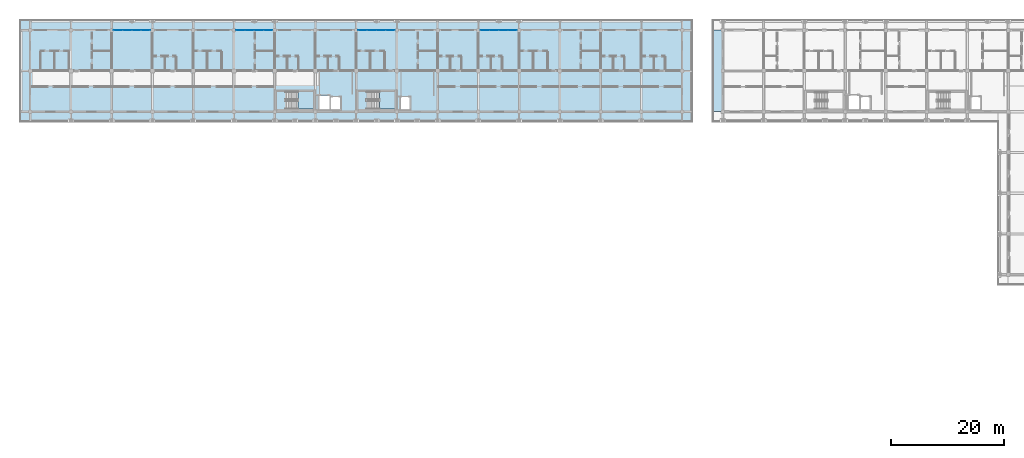
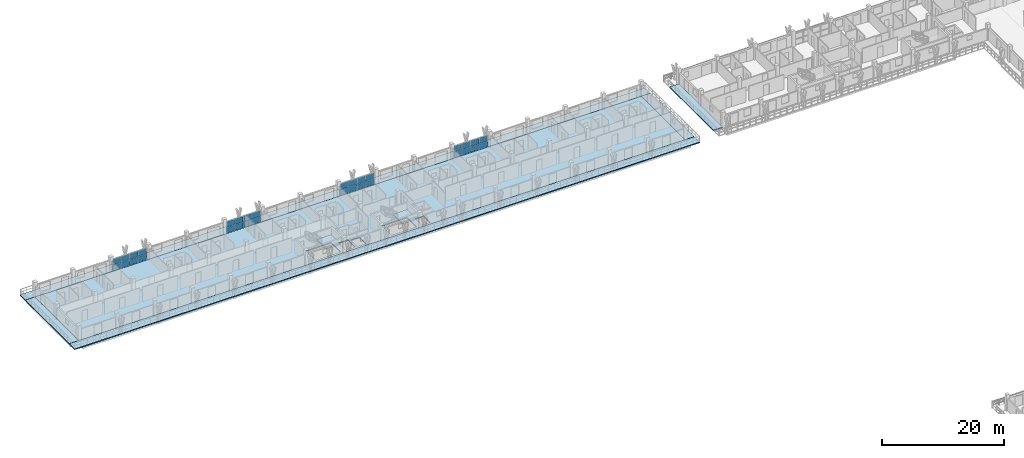
# One storey, part 36 of 78: 32 plates, 8 slabs, 6 elements without a shape of their own.
"""IFC4 building model written with IfcOpenShell, lengths in metres."""

from ifc_helpers import new_model, si_unit, direction, frame, origin, origin_2d, place, context, subcontext, project, spatial, polyline, rectangle, outline, extrude, material, layer, layer_set, type_object, element, aggregate, save


model = new_model("IFC4")

# Units and contexts
model_context = context("Model", 3, precision=1e-05, world=origin(), true_north=direction((0.0, 1.0)))
body_context = subcontext(model_context, "Body", "Model", "MODEL_VIEW")
ifc_project = project(units=[si_unit("LENGTHUNIT", "METRE"), si_unit("AREAUNIT", "SQUARE_METRE"), si_unit("VOLUMEUNIT", "CUBIC_METRE"), si_unit("PLANEANGLEUNIT", "RADIAN"), si_unit("MASSUNIT", "GRAM", prefix="KILO")], contexts=[model_context])

# Site, building, storey
site_placement = place(None, origin())
site = spatial("IfcSite", under=ifc_project, at=site_placement, CompositionType="ELEMENT")
building_placement = place(site_placement, origin())
building = spatial("IfcBuilding", under=site, at=building_placement, Name="Suanplinth Sawtooth Commons", CompositionType="ELEMENT")
storey_placement = place(building_placement, frame((0.0, 0.0, 15.39990234375)))
storey = spatial("IfcBuildingStorey", under=building, at=storey_placement, Name="L04", CompositionType="ELEMENT", Elevation=15.39990234375)

# Curtain wall, plates
ifc_material_1 = material(Name="Anodized aluminium and low-E glazing", Category="aluminium")
curtain_wall_type = type_object("IfcCurtainWallType", Name="CW-06", PredefinedType="USERDEFINED", material=ifc_material_1)
curtain_wall_1_placement = place(storey_placement, origin())
curtain_wall_1 = element("IfcCurtainWall", 1, at=curtain_wall_1_placement, inside=storey, type_object=curtain_wall_type, Name="Curtain Wall CW-L04-A-LOUNGE-2", ObjectType="CURTAIN WALL", PredefinedType="USERDEFINED")
ifc_material_2 = material(Name="Tempered low-E double glazing", Category="glass")
ifc_layer_1 = layer(ifc_material_2, 0.028076171875, Name="Vision low-E insulated glazing unit 28mm")
ifc_layer_set_1 = layer_set([ifc_layer_1], Name="Tempered low-E double glazing")
plate_type = type_object("IfcPlateType", Name="PL-05", PredefinedType="CURTAIN_PANEL", material=ifc_layer_set_1)
plate_1_placement = place(storey_placement, frame((15.56005859375, 122.39990234375, 0.06494140625), z_axis=(0.0, 0.0, 1.0), x_axis=(1.0, 0.0, 0.0)))
plate_1 = element("IfcPlate", 2, at=plate_1_placement, type_object=plate_type, Name="CW-06 panel 1.1", PredefinedType="CURTAIN_PANEL", context=body_context, shape_type="SweptSolid", body=[
    extrude(rectangle(XDim=1.5400390625, YDim=0.028076171875, at=origin_2d()), origin(), (0.0, 0.0, 1.0), 1.117431640625),
])
plate_2_placement = place(storey_placement, frame((15.56005859375, 122.39990234375, 1.24755859375), z_axis=(0.0, 0.0, 1.0), x_axis=(1.0, 0.0, 0.0)))
plate_2 = element("IfcPlate", 3, at=plate_2_placement, type_object=plate_type, Name="CW-06 panel 1.2", PredefinedType="CURTAIN_PANEL", context=body_context, shape_type="SweptSolid", body=[
    extrude(rectangle(XDim=1.5400390625, YDim=0.028076171875, at=origin_2d()), origin(), (0.0, 0.0, 1.0), 1.117431640625),
])
plate_3_placement = place(storey_placement, frame((17.18115234375, 122.39990234375, 0.06494140625), z_axis=(0.0, 0.0, 1.0), x_axis=(1.0, 0.0, 0.0)))
plate_3 = element("IfcPlate", 4, at=plate_3_placement, type_object=plate_type, Name="CW-06 panel 2.1", PredefinedType="CURTAIN_PANEL", context=body_context, shape_type="SweptSolid", body=[
    extrude(rectangle(XDim=1.572509765625, YDim=0.028076171875, at=origin_2d()), origin(), (0.0, 0.0, 1.0), 1.117431640625),
])
plate_4_placement = place(storey_placement, frame((17.18115234375, 122.39990234375, 1.24755859375), z_axis=(0.0, 0.0, 1.0), x_axis=(1.0, 0.0, 0.0)))
plate_4 = element("IfcPlate", 5, at=plate_4_placement, type_object=plate_type, Name="CW-06 panel 2.2", PredefinedType="CURTAIN_PANEL", context=body_context, shape_type="SweptSolid", body=[
    extrude(rectangle(XDim=1.572509765625, YDim=0.028076171875, at=origin_2d()), origin(), (0.0, 0.0, 1.0), 1.117431640625),
])
plate_5_placement = place(storey_placement, frame((18.81884765625, 122.39990234375, 0.06494140625), z_axis=(0.0, 0.0, 1.0), x_axis=(1.0, 0.0, 0.0)))
plate_5 = element("IfcPlate", 6, at=plate_5_placement, type_object=plate_type, Name="CW-06 panel 3.1", PredefinedType="CURTAIN_PANEL", context=body_context, shape_type="SweptSolid", body=[
    extrude(rectangle(XDim=1.572509765625, YDim=0.028076171875, at=origin_2d()), origin(), (0.0, 0.0, 1.0), 1.117431640625),
])
plate_6_placement = place(storey_placement, frame((18.81884765625, 122.39990234375, 1.24755859375), z_axis=(0.0, 0.0, 1.0), x_axis=(1.0, 0.0, 0.0)))
plate_6 = element("IfcPlate", 7, at=plate_6_placement, type_object=plate_type, Name="CW-06 panel 3.2", PredefinedType="CURTAIN_PANEL", context=body_context, shape_type="SweptSolid", body=[
    extrude(rectangle(XDim=1.572509765625, YDim=0.028076171875, at=origin_2d()), origin(), (0.0, 0.0, 1.0), 1.117431640625),
])
plate_7_placement = place(storey_placement, frame((20.43994140625, 122.39990234375, 0.06494140625), z_axis=(0.0, 0.0, 1.0), x_axis=(1.0, 0.0, 0.0)))
plate_7 = element("IfcPlate", 8, at=plate_7_placement, type_object=plate_type, Name="CW-06 panel 4.1", PredefinedType="CURTAIN_PANEL", context=body_context, shape_type="SweptSolid", body=[
    extrude(rectangle(XDim=1.5400390625, YDim=0.028076171875, at=origin_2d()), origin(), (0.0, 0.0, 1.0), 1.117431640625),
])
plate_8_placement = place(storey_placement, frame((20.43994140625, 122.39990234375, 1.24755859375), z_axis=(0.0, 0.0, 1.0), x_axis=(1.0, 0.0, 0.0)))
plate_8 = element("IfcPlate", 9, at=plate_8_placement, type_object=plate_type, Name="CW-06 panel 4.2", PredefinedType="CURTAIN_PANEL", context=body_context, shape_type="SweptSolid", body=[
    extrude(rectangle(XDim=1.5400390625, YDim=0.028076171875, at=origin_2d()), origin(), (0.0, 0.0, 1.0), 1.117431640625),
])
aggregate(curtain_wall_1, [plate_1, plate_2, plate_3, plate_4, plate_5, plate_6, plate_7, plate_8])

curtain_wall_2_placement = place(storey_placement, origin())
curtain_wall_2 = element("IfcCurtainWall", 10, at=curtain_wall_2_placement, inside=storey, type_object=curtain_wall_type, Name="Curtain Wall CW-L04-A-LOUNGE-5", ObjectType="CURTAIN WALL", PredefinedType="USERDEFINED")
plate_9_placement = place(storey_placement, frame((37.159912109375, 122.39990234375, 0.06494140625), z_axis=(0.0, 0.0, 1.0), x_axis=(1.0, 0.0, 0.0)))
plate_9 = element("IfcPlate", 11, at=plate_9_placement, type_object=plate_type, Name="CW-06 panel 1.1", PredefinedType="CURTAIN_PANEL", context=body_context, shape_type="SweptSolid", body=[
    extrude(rectangle(XDim=1.5400390625, YDim=0.028076171875, at=origin_2d()), origin(), (0.0, 0.0, 1.0), 1.117431640625),
])
plate_10_placement = place(storey_placement, frame((37.159912109375, 122.39990234375, 1.24755859375), z_axis=(0.0, 0.0, 1.0), x_axis=(1.0, 0.0, 0.0)))
plate_10 = element("IfcPlate", 12, at=plate_10_placement, type_object=plate_type, Name="CW-06 panel 1.2", PredefinedType="CURTAIN_PANEL", context=body_context, shape_type="SweptSolid", body=[
    extrude(rectangle(XDim=1.5400390625, YDim=0.028076171875, at=origin_2d()), origin(), (0.0, 0.0, 1.0), 1.117431640625),
])
plate_11_placement = place(storey_placement, frame((38.78125, 122.39990234375, 0.06494140625), z_axis=(0.0, 0.0, 1.0), x_axis=(1.0, 0.0, 0.0)))
plate_11 = element("IfcPlate", 13, at=plate_11_placement, type_object=plate_type, Name="CW-06 panel 2.1", PredefinedType="CURTAIN_PANEL", context=body_context, shape_type="SweptSolid", body=[
    extrude(rectangle(XDim=1.572509765625, YDim=0.028076171875, at=origin_2d()), origin(), (0.0, 0.0, 1.0), 1.117431640625),
])
plate_12_placement = place(storey_placement, frame((38.78125, 122.39990234375, 1.24755859375), z_axis=(0.0, 0.0, 1.0), x_axis=(1.0, 0.0, 0.0)))
plate_12 = element("IfcPlate", 14, at=plate_12_placement, type_object=plate_type, Name="CW-06 panel 2.2", PredefinedType="CURTAIN_PANEL", context=body_context, shape_type="SweptSolid", body=[
    extrude(rectangle(XDim=1.572509765625, YDim=0.028076171875, at=origin_2d()), origin(), (0.0, 0.0, 1.0), 1.117431640625),
])
plate_13_placement = place(storey_placement, frame((40.418701171875, 122.39990234375, 0.06494140625), z_axis=(0.0, 0.0, 1.0), x_axis=(1.0, 0.0, 0.0)))
plate_13 = element("IfcPlate", 15, at=plate_13_placement, type_object=plate_type, Name="CW-06 panel 3.1", PredefinedType="CURTAIN_PANEL", context=body_context, shape_type="SweptSolid", body=[
    extrude(rectangle(XDim=1.572509765625, YDim=0.028076171875, at=origin_2d()), origin(), (0.0, 0.0, 1.0), 1.117431640625),
])
plate_14_placement = place(storey_placement, frame((40.418701171875, 122.39990234375, 1.24755859375), z_axis=(0.0, 0.0, 1.0), x_axis=(1.0, 0.0, 0.0)))
plate_14 = element("IfcPlate", 16, at=plate_14_placement, type_object=plate_type, Name="CW-06 panel 3.2", PredefinedType="CURTAIN_PANEL", context=body_context, shape_type="SweptSolid", body=[
    extrude(rectangle(XDim=1.572509765625, YDim=0.028076171875, at=origin_2d()), origin(), (0.0, 0.0, 1.0), 1.117431640625),
])
plate_15_placement = place(storey_placement, frame((42.0400390625, 122.39990234375, 0.06494140625), z_axis=(0.0, 0.0, 1.0), x_axis=(1.0, 0.0, 0.0)))
plate_15 = element("IfcPlate", 17, at=plate_15_placement, type_object=plate_type, Name="CW-06 panel 4.1", PredefinedType="CURTAIN_PANEL", context=body_context, shape_type="SweptSolid", body=[
    extrude(rectangle(XDim=1.5400390625, YDim=0.028076171875, at=origin_2d()), origin(), (0.0, 0.0, 1.0), 1.117431640625),
])
plate_16_placement = place(storey_placement, frame((42.0400390625, 122.39990234375, 1.24755859375), z_axis=(0.0, 0.0, 1.0), x_axis=(1.0, 0.0, 0.0)))
plate_16 = element("IfcPlate", 18, at=plate_16_placement, type_object=plate_type, Name="CW-06 panel 4.2", PredefinedType="CURTAIN_PANEL", context=body_context, shape_type="SweptSolid", body=[
    extrude(rectangle(XDim=1.5400390625, YDim=0.028076171875, at=origin_2d()), origin(), (0.0, 0.0, 1.0), 1.117431640625),
])
aggregate(curtain_wall_2, [plate_9, plate_10, plate_11, plate_12, plate_13, plate_14, plate_15, plate_16])

curtain_wall_3_placement = place(storey_placement, origin())
curtain_wall_3 = element("IfcCurtainWall", 19, at=curtain_wall_3_placement, inside=storey, type_object=curtain_wall_type, Name="Curtain Wall CW-L04-A-LOUNGE-8", ObjectType="CURTAIN WALL", PredefinedType="USERDEFINED")
plate_17_placement = place(storey_placement, frame((58.760009765625, 122.39990234375, 0.06494140625), z_axis=(0.0, 0.0, 1.0), x_axis=(1.0, 0.0, 0.0)))
plate_17 = element("IfcPlate", 20, at=plate_17_placement, type_object=plate_type, Name="CW-06 panel 1.1", PredefinedType="CURTAIN_PANEL", context=body_context, shape_type="SweptSolid", body=[
    extrude(rectangle(XDim=1.5400390625, YDim=0.028076171875, at=origin_2d()), origin(), (0.0, 0.0, 1.0), 1.117431640625),
])
plate_18_placement = place(storey_placement, frame((58.760009765625, 122.39990234375, 1.24755859375), z_axis=(0.0, 0.0, 1.0), x_axis=(1.0, 0.0, 0.0)))
plate_18 = element("IfcPlate", 21, at=plate_18_placement, type_object=plate_type, Name="CW-06 panel 1.2", PredefinedType="CURTAIN_PANEL", context=body_context, shape_type="SweptSolid", body=[
    extrude(rectangle(XDim=1.5400390625, YDim=0.028076171875, at=origin_2d()), origin(), (0.0, 0.0, 1.0), 1.117431640625),
])
plate_19_placement = place(storey_placement, frame((60.38134765625, 122.39990234375, 0.06494140625), z_axis=(0.0, 0.0, 1.0), x_axis=(1.0, 0.0, 0.0)))
plate_19 = element("IfcPlate", 22, at=plate_19_placement, type_object=plate_type, Name="CW-06 panel 2.1", PredefinedType="CURTAIN_PANEL", context=body_context, shape_type="SweptSolid", body=[
    extrude(rectangle(XDim=1.572509765625, YDim=0.028076171875, at=origin_2d()), origin(), (0.0, 0.0, 1.0), 1.117431640625),
])
plate_20_placement = place(storey_placement, frame((60.38134765625, 122.39990234375, 1.24755859375), z_axis=(0.0, 0.0, 1.0), x_axis=(1.0, 0.0, 0.0)))
plate_20 = element("IfcPlate", 23, at=plate_20_placement, type_object=plate_type, Name="CW-06 panel 2.2", PredefinedType="CURTAIN_PANEL", context=body_context, shape_type="SweptSolid", body=[
    extrude(rectangle(XDim=1.572509765625, YDim=0.028076171875, at=origin_2d()), origin(), (0.0, 0.0, 1.0), 1.117431640625),
])
plate_21_placement = place(storey_placement, frame((62.018798828125, 122.39990234375, 0.06494140625), z_axis=(0.0, 0.0, 1.0), x_axis=(1.0, 0.0, 0.0)))
plate_21 = element("IfcPlate", 24, at=plate_21_placement, type_object=plate_type, Name="CW-06 panel 3.1", PredefinedType="CURTAIN_PANEL", context=body_context, shape_type="SweptSolid", body=[
    extrude(rectangle(XDim=1.572509765625, YDim=0.028076171875, at=origin_2d()), origin(), (0.0, 0.0, 1.0), 1.117431640625),
])
plate_22_placement = place(storey_placement, frame((62.018798828125, 122.39990234375, 1.24755859375), z_axis=(0.0, 0.0, 1.0), x_axis=(1.0, 0.0, 0.0)))
plate_22 = element("IfcPlate", 25, at=plate_22_placement, type_object=plate_type, Name="CW-06 panel 3.2", PredefinedType="CURTAIN_PANEL", context=body_context, shape_type="SweptSolid", body=[
    extrude(rectangle(XDim=1.572509765625, YDim=0.028076171875, at=origin_2d()), origin(), (0.0, 0.0, 1.0), 1.117431640625),
])
plate_23_placement = place(storey_placement, frame((63.639892578125, 122.39990234375, 0.06494140625), z_axis=(0.0, 0.0, 1.0), x_axis=(1.0, 0.0, 0.0)))
plate_23 = element("IfcPlate", 26, at=plate_23_placement, type_object=plate_type, Name="CW-06 panel 4.1", PredefinedType="CURTAIN_PANEL", context=body_context, shape_type="SweptSolid", body=[
    extrude(rectangle(XDim=1.5400390625, YDim=0.028076171875, at=origin_2d()), origin(), (0.0, 0.0, 1.0), 1.117431640625),
])
plate_24_placement = place(storey_placement, frame((63.639892578125, 122.39990234375, 1.24755859375), z_axis=(0.0, 0.0, 1.0), x_axis=(1.0, 0.0, 0.0)))
plate_24 = element("IfcPlate", 27, at=plate_24_placement, type_object=plate_type, Name="CW-06 panel 4.2", PredefinedType="CURTAIN_PANEL", context=body_context, shape_type="SweptSolid", body=[
    extrude(rectangle(XDim=1.5400390625, YDim=0.028076171875, at=origin_2d()), origin(), (0.0, 0.0, 1.0), 1.117431640625),
])
aggregate(curtain_wall_3, [plate_17, plate_18, plate_19, plate_20, plate_21, plate_22, plate_23, plate_24])

curtain_wall_4_placement = place(storey_placement, origin())
curtain_wall_4 = element("IfcCurtainWall", 28, at=curtain_wall_4_placement, inside=storey, type_object=curtain_wall_type, Name="Curtain Wall CW-L04-A-LOUNGE-11", ObjectType="CURTAIN WALL", PredefinedType="USERDEFINED")
plate_25_placement = place(storey_placement, frame((80.360107421875, 122.39990234375, 0.06494140625), z_axis=(0.0, 0.0, 1.0), x_axis=(1.0, 0.0, 0.0)))
plate_25 = element("IfcPlate", 29, at=plate_25_placement, type_object=plate_type, Name="CW-06 panel 1.1", PredefinedType="CURTAIN_PANEL", context=body_context, shape_type="SweptSolid", body=[
    extrude(rectangle(XDim=1.5400390625, YDim=0.028076171875, at=origin_2d()), origin(), (0.0, 0.0, 1.0), 1.117431640625),
])
plate_26_placement = place(storey_placement, frame((80.360107421875, 122.39990234375, 1.24755859375), z_axis=(0.0, 0.0, 1.0), x_axis=(1.0, 0.0, 0.0)))
plate_26 = element("IfcPlate", 30, at=plate_26_placement, type_object=plate_type, Name="CW-06 panel 1.2", PredefinedType="CURTAIN_PANEL", context=body_context, shape_type="SweptSolid", body=[
    extrude(rectangle(XDim=1.5400390625, YDim=0.028076171875, at=origin_2d()), origin(), (0.0, 0.0, 1.0), 1.117431640625),
])
plate_27_placement = place(storey_placement, frame((81.981201171875, 122.39990234375, 0.06494140625), z_axis=(0.0, 0.0, 1.0), x_axis=(1.0, 0.0, 0.0)))
plate_27 = element("IfcPlate", 31, at=plate_27_placement, type_object=plate_type, Name="CW-06 panel 2.1", PredefinedType="CURTAIN_PANEL", context=body_context, shape_type="SweptSolid", body=[
    extrude(rectangle(XDim=1.572509765625, YDim=0.028076171875, at=origin_2d()), origin(), (0.0, 0.0, 1.0), 1.117431640625),
])
plate_28_placement = place(storey_placement, frame((81.981201171875, 122.39990234375, 1.24755859375), z_axis=(0.0, 0.0, 1.0), x_axis=(1.0, 0.0, 0.0)))
plate_28 = element("IfcPlate", 32, at=plate_28_placement, type_object=plate_type, Name="CW-06 panel 2.2", PredefinedType="CURTAIN_PANEL", context=body_context, shape_type="SweptSolid", body=[
    extrude(rectangle(XDim=1.572509765625, YDim=0.028076171875, at=origin_2d()), origin(), (0.0, 0.0, 1.0), 1.117431640625),
])
plate_29_placement = place(storey_placement, frame((83.61865234375, 122.39990234375, 0.06494140625), z_axis=(0.0, 0.0, 1.0), x_axis=(1.0, 0.0, 0.0)))
plate_29 = element("IfcPlate", 33, at=plate_29_placement, type_object=plate_type, Name="CW-06 panel 3.1", PredefinedType="CURTAIN_PANEL", context=body_context, shape_type="SweptSolid", body=[
    extrude(rectangle(XDim=1.572509765625, YDim=0.028076171875, at=origin_2d()), origin(), (0.0, 0.0, 1.0), 1.117431640625),
])
plate_30_placement = place(storey_placement, frame((83.61865234375, 122.39990234375, 1.24755859375), z_axis=(0.0, 0.0, 1.0), x_axis=(1.0, 0.0, 0.0)))
plate_30 = element("IfcPlate", 34, at=plate_30_placement, type_object=plate_type, Name="CW-06 panel 3.2", PredefinedType="CURTAIN_PANEL", context=body_context, shape_type="SweptSolid", body=[
    extrude(rectangle(XDim=1.572509765625, YDim=0.028076171875, at=origin_2d()), origin(), (0.0, 0.0, 1.0), 1.117431640625),
])
plate_31_placement = place(storey_placement, frame((85.239990234375, 122.39990234375, 0.06494140625), z_axis=(0.0, 0.0, 1.0), x_axis=(1.0, 0.0, 0.0)))
plate_31 = element("IfcPlate", 35, at=plate_31_placement, type_object=plate_type, Name="CW-06 panel 4.1", PredefinedType="CURTAIN_PANEL", context=body_context, shape_type="SweptSolid", body=[
    extrude(rectangle(XDim=1.5400390625, YDim=0.028076171875, at=origin_2d()), origin(), (0.0, 0.0, 1.0), 1.117431640625),
])
plate_32_placement = place(storey_placement, frame((85.239990234375, 122.39990234375, 1.24755859375), z_axis=(0.0, 0.0, 1.0), x_axis=(1.0, 0.0, 0.0)))
plate_32 = element("IfcPlate", 36, at=plate_32_placement, type_object=plate_type, Name="CW-06 panel 4.2", PredefinedType="CURTAIN_PANEL", context=body_context, shape_type="SweptSolid", body=[
    extrude(rectangle(XDim=1.5400390625, YDim=0.028076171875, at=origin_2d()), origin(), (0.0, 0.0, 1.0), 1.117431640625),
])
aggregate(curtain_wall_4, [plate_25, plate_26, plate_27, plate_28, plate_29, plate_30, plate_31, plate_32])

# Slabs
ifc_material_3 = material(Name="Precast concrete C40/50", Category="concrete")
ifc_layer_2 = layer(ifc_material_3, 0.179931640625, Name="Wrap-around cantilevered precast balcony slab 180mm")
ifc_layer_set_2 = layer_set([ifc_layer_2], Name="Precast concrete C40/50")
slab_type_1 = type_object("IfcSlabType", Name="S-BL01", PredefinedType="FLOOR", material=ifc_layer_set_2)
slab_1_placement = place(storey_placement, frame((0.0, 0.0, -0.179931640625)))
element("IfcSlab", 37, at=slab_1_placement, inside=storey, type_object=slab_type_1, Name="L04 Block A Wrap-Around Balcony N", PredefinedType="FLOOR", context=body_context, shape_type="SweptSolid", body=[
    extrude(outline(polyline([(-1.800048828125, 122.39990234375), (-1.800048828125, 124.199951171875), (117.0, 124.199951171875), (117.0, 122.39990234375), (-1.800048828125, 122.39990234375)])), origin(), (0.0, 0.0, 1.0), 0.179931640625),
])
slab_2_placement = place(storey_placement, frame((0.0, 0.0, -0.179931640625)))
element("IfcSlab", 38, at=slab_2_placement, inside=storey, type_object=slab_type_1, Name="L04 Block A Wrap-Around Balcony S", PredefinedType="FLOOR", context=body_context, shape_type="SweptSolid", body=[
    extrude(outline(polyline([(117.0, 108.0), (117.0, 106.199951171875), (-1.800048828125, 106.199951171875), (-1.800048828125, 108.0), (117.0, 108.0)])), origin(), (0.0, 0.0, 1.0), 0.179931640625),
])
slab_3_placement = place(storey_placement, frame((0.0, 0.0, -0.179931640625)))
element("IfcSlab", 39, at=slab_3_placement, inside=storey, type_object=slab_type_1, Name="L04 Block A Wrap-Around Balcony W", PredefinedType="FLOOR", context=body_context, shape_type="SweptSolid", body=[
    extrude(outline(polyline([(0.0, 108.0), (-1.800048828125, 108.0), (-1.800048828125, 122.39990234375), (0.0, 122.39990234375), (0.0, 108.0)])), origin(), (0.0, 0.0, 1.0), 0.179931640625),
])
slab_4_placement = place(storey_placement, frame((0.0, 0.0, -0.179931640625)))
element("IfcSlab", 40, at=slab_4_placement, inside=storey, type_object=slab_type_1, Name="L04 Block A Wrap-Around Balcony E", PredefinedType="FLOOR", context=body_context, shape_type="SweptSolid", body=[
    extrude(outline(polyline([(117.0, 122.39990234375), (117.0, 108.0), (115.199951171875, 108.0), (115.199951171875, 122.39990234375), (117.0, 122.39990234375)])), origin(), (0.0, 0.0, 1.0), 0.179931640625),
])
slab_5_placement = place(storey_placement, frame((0.0, 0.0, -0.179931640625)))
element("IfcSlab", 41, at=slab_5_placement, inside=storey, type_object=slab_type_1, Name="L04 Block B Wrap-Around Balcony WEND", PredefinedType="FLOOR", context=body_context, shape_type="SweptSolid", body=[
    extrude(outline(polyline([(122.39990234375, 108.0), (120.60009765625, 108.0), (120.60009765625, 122.39990234375), (122.39990234375, 122.39990234375), (122.39990234375, 108.0)])), origin(), (0.0, 0.0, 1.0), 0.179931640625),
])
ifc_layer_3 = layer(ifc_material_3, 0.219970703125, Name="Precast hollow-core + topping floor slab 220mm")
ifc_layer_set_3 = layer_set([ifc_layer_3], Name="Precast concrete C40/50")
slab_type_2 = type_object("IfcSlabType", Name="S-FL03", PredefinedType="FLOOR", material=ifc_layer_set_3)
slab_6_placement = place(storey_placement, frame((0.0, 0.0, -0.219970703125)))
element("IfcSlab", 42, at=slab_6_placement, inside=storey, type_object=slab_type_2, Name="L04 Block A Structural Floor Plate", PredefinedType="FLOOR", context=body_context, shape_type="SweptSolid", body=[
    extrude(outline(polyline([(0.0, 108.0), (115.199951171875, 108.0), (115.199951171875, 122.39990234375), (0.0, 122.39990234375), (0.0, 108.0)]), holes=[polyline([(45.2900390625, 108.449951171875), (50.050048828125, 108.449951171875), (50.050048828125, 111.550048828125), (45.2900390625, 111.550048828125), (45.2900390625, 108.449951171875)]), polyline([(51.050048828125, 108.449951171875), (52.85009765625, 108.449951171875), (52.85009765625, 110.85009765625), (51.050048828125, 110.85009765625), (51.050048828125, 108.449951171875)]), polyline([(53.199951171875, 108.449951171875), (54.800048828125, 108.449951171875), (54.800048828125, 110.550048828125), (53.199951171875, 110.550048828125), (53.199951171875, 108.449951171875)]), polyline([(59.68994140625, 108.449951171875), (64.449951171875, 108.449951171875), (64.449951171875, 111.550048828125), (59.68994140625, 111.550048828125), (59.68994140625, 108.449951171875)]), polyline([(65.449951171875, 108.449951171875), (67.050048828125, 108.449951171875), (67.050048828125, 110.550048828125), (65.449951171875, 110.550048828125), (65.449951171875, 108.449951171875)])]), origin(), (0.0, 0.0, 1.0), 0.219970703125),
])

# Stair, slab
ifc_material_4 = material(Name="Concrete C40/50", Category="concrete")
stair_type = type_object("IfcStairType", Name="ST-03", PredefinedType="USERDEFINED", material=ifc_material_4)
stair_1_placement = place(storey_placement, origin())
stair_1 = element("IfcStair", 43, at=stair_1_placement, inside=storey, type_object=stair_type, Name="L04 Exit Stair ST-N1", ObjectType="TWO_RETURN_STAIR", PredefinedType="USERDEFINED")
ifc_layer_4 = layer(ifc_material_4, 0.199951171875, Name="Reinforced concrete stair and ramp landing slab 200mm")
ifc_layer_set_4 = layer_set([ifc_layer_4], Name="Concrete C40/50")
slab_type_3 = type_object("IfcSlabType", Name="S-LD01", PredefinedType="LANDING", material=ifc_layer_set_4)
slab_7_placement = place(storey_placement, frame((0.0, 0.0, 1.400146484375)))
slab_7 = element("IfcSlab", 44, at=slab_7_placement, type_object=slab_type_3, Name="ST-03 landing 1", PredefinedType="LANDING", context=body_context, shape_type="SweptSolid", body=[
    extrude(outline(polyline([(47.330078125, 108.449951171875), (50.050048828125, 108.449951171875), (50.050048828125, 111.550048828125), (47.330078125, 111.550048828125), (47.330078125, 108.449951171875)])), origin(), (0.0, 0.0, 1.0), 0.199951171875),
])
aggregate(stair_1, [slab_7])

stair_2_placement = place(storey_placement, origin())
stair_2 = element("IfcStair", 45, at=stair_2_placement, inside=storey, type_object=stair_type, Name="L04 Exit Stair ST-N2", ObjectType="TWO_RETURN_STAIR", PredefinedType="USERDEFINED")
slab_8_placement = place(storey_placement, frame((0.0, 0.0, 1.400146484375)))
slab_8 = element("IfcSlab", 46, at=slab_8_placement, type_object=slab_type_3, Name="ST-03 landing 1", PredefinedType="LANDING", context=body_context, shape_type="SweptSolid", body=[
    extrude(outline(polyline([(61.72998046875, 108.449951171875), (64.449951171875, 108.449951171875), (64.449951171875, 111.550048828125), (61.72998046875, 111.550048828125), (61.72998046875, 108.449951171875)])), origin(), (0.0, 0.0, 1.0), 0.199951171875),
])
aggregate(stair_2, [slab_8])

save(model, "model.ifc")
